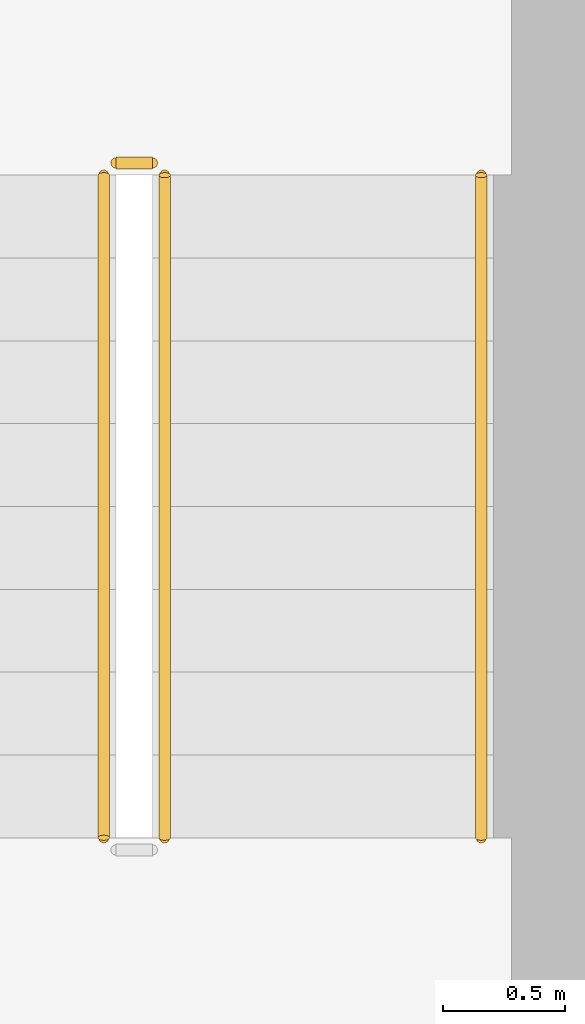
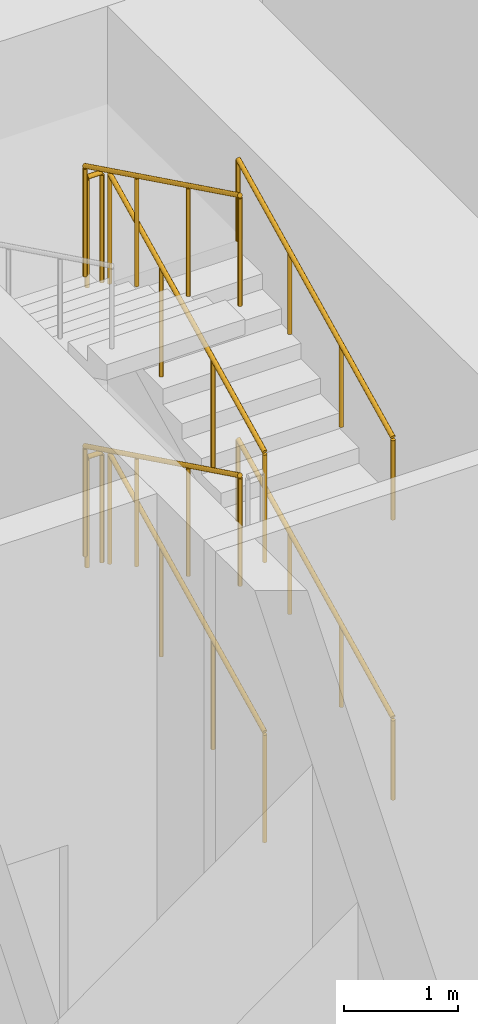
# One storey, part 11 of 11: 8 railings.
"""IFC4 building model written with IfcOpenShell, lengths in metres."""

from ifc_helpers import new_model, si_unit, direction, frame, origin, origin_2d, place, context, subcontext, project, spatial, circle, extrude, material, type_object, element, save


model = new_model("IFC4")

# Units and contexts
model_context = context("Model", 3, precision=1e-05, world=origin(), true_north=direction((0.0, 1.0)))
body_context = subcontext(model_context, "Body", "Model", "MODEL_VIEW")
ifc_project = project(units=[si_unit("LENGTHUNIT", "METRE"), si_unit("AREAUNIT", "SQUARE_METRE"), si_unit("VOLUMEUNIT", "CUBIC_METRE"), si_unit("PLANEANGLEUNIT", "RADIAN"), si_unit("MASSUNIT", "GRAM", prefix="KILO")], contexts=[model_context])

# Site, building, storey
site_placement = place(None, origin())
site = spatial("IfcSite", under=ifc_project, at=site_placement, CompositionType="ELEMENT")
building_placement = place(site_placement, origin())
building = spatial("IfcBuilding", under=site, at=building_placement, Name="Dongbaek Canopy Tower", CompositionType="ELEMENT")
storey_placement = place(building_placement, frame((0.0, 0.0, -6.0)))
storey = spatial("IfcBuildingStorey", under=building, at=storey_placement, Name="B1", CompositionType="ELEMENT", Elevation=-6.0)

# Railings
ifc_material_1 = material(Name="Stainless steel tube and balusters", Category="steel")
railing_type_1 = type_object("IfcRailingType", Name="Stair guard 1200", PredefinedType="GUARDRAIL", material=ifc_material_1)
railing_1_placement = place(storey_placement, frame((11.449951171875, 4.699951171875, 0.166748046875)))
element("IfcRailing", 1, at=railing_1_placement, inside=storey, type_object=railing_type_1, Name="B1 ST-A stair guard 1", PredefinedType="GUARDRAIL", context=body_context, shape_type="SweptSolid", body=[
    extrude(circle(Radius=0.02392578125, at=origin_2d()), frame((0.0, 0.0, 1.17578125), z_axis=(0.0, 0.897929466783, 0.4401393787), x_axis=(-1.0, 0.0, 0.0)), (0.0, 0.0, 1.0), 3.029052734375),
    extrude(circle(Radius=0.02099609375, at=origin_2d()), origin(), (0.0, 0.0, 1.0), 1.15185546875),
    extrude(circle(Radius=0.02099609375, at=origin_2d()), frame((0.0, 0.90673828125, 0.4443359375)), (0.0, 0.0, 1.0), 1.15185546875),
    extrude(circle(Radius=0.02099609375, at=origin_2d()), frame((0.0, 1.813232421875, 0.888916015625)), (0.0, 0.0, 1.0), 1.15185546875),
    extrude(circle(Radius=0.02099609375, at=origin_2d()), frame((0.0, 2.719970703125, 1.333251953125)), (0.0, 0.0, 1.0), 1.15185546875),
])
railing_2_placement = place(storey_placement, frame((11.39990234375, 7.469970703125, 1.5)))
element("IfcRailing", 2, at=railing_2_placement, inside=storey, type_object=railing_type_1, Name="B1 ST-A stair guard 2", PredefinedType="GUARDRAIL", context=body_context, shape_type="SweptSolid", body=[
    extrude(circle(Radius=0.02392578125, at=origin_2d()), frame((0.0, 0.0, 1.17578125), z_axis=(-1.0, 0.0, 0.0), x_axis=(0.0, -1.0, 0.0)), (0.0, 0.0, 1.0), 0.14990234375),
    extrude(circle(Radius=0.02099609375, at=origin_2d()), origin(), (0.0, 0.0, 1.0), 1.15185546875),
    extrude(circle(Radius=0.02099609375, at=origin_2d()), frame((-0.14990234375, 0.0, 0.0)), (0.0, 0.0, 1.0), 1.15185546875),
])
railing_3_placement = place(storey_placement, frame((11.199951171875, 7.419921875, 1.666748046875)))
element("IfcRailing", 3, at=railing_3_placement, inside=storey, type_object=railing_type_1, Name="B1 ST-A stair guard 3", PredefinedType="GUARDRAIL", context=body_context, shape_type="SweptSolid", body=[
    extrude(circle(Radius=0.02392578125, at=origin_2d()), frame((0.0, 0.0, 1.17578125), z_axis=(0.0, -0.897929466783, 0.4401393787), x_axis=(1.0, 0.0, 0.0)), (0.0, 0.0, 1.0), 3.029052734375),
    extrude(circle(Radius=0.02099609375, at=origin_2d()), origin(), (0.0, 0.0, 1.0), 1.15185546875),
    extrude(circle(Radius=0.02099609375, at=origin_2d()), frame((0.0, -0.90673828125, 0.4443359375)), (0.0, 0.0, 1.0), 1.15185546875),
    extrude(circle(Radius=0.02099609375, at=origin_2d()), frame((0.0, -1.813232421875, 0.888916015625)), (0.0, 0.0, 1.0), 1.15185546875),
    extrude(circle(Radius=0.02099609375, at=origin_2d()), frame((0.0, -2.719970703125, 1.333251953125)), (0.0, 0.0, 1.0), 1.15185546875),
])
railing_4_placement = place(storey_placement, frame((11.449951171875, 4.699951171875, 3.166748046875)))
element("IfcRailing", 4, at=railing_4_placement, inside=storey, type_object=railing_type_1, Name="B1 ST-A stair guard 5", PredefinedType="GUARDRAIL", context=body_context, shape_type="SweptSolid", body=[
    extrude(circle(Radius=0.02392578125, at=origin_2d()), frame((0.0, 0.0, 1.17578125), z_axis=(0.0, 0.897929466783, 0.4401393787), x_axis=(-1.0, 0.0, 0.0)), (0.0, 0.0, 1.0), 3.029052734375),
    extrude(circle(Radius=0.02099609375, at=origin_2d()), origin(), (0.0, 0.0, 1.0), 1.15185546875),
    extrude(circle(Radius=0.02099609375, at=origin_2d()), frame((0.0, 0.90673828125, 0.4443359375)), (0.0, 0.0, 1.0), 1.15185546875),
    extrude(circle(Radius=0.02099609375, at=origin_2d()), frame((0.0, 1.813232421875, 0.888916015625)), (0.0, 0.0, 1.0), 1.15185546875),
    extrude(circle(Radius=0.02099609375, at=origin_2d()), frame((0.0, 2.719970703125, 1.333251953125)), (0.0, 0.0, 1.0), 1.15185546875),
])
railing_5_placement = place(storey_placement, frame((11.39990234375, 7.469970703125, 4.5)))
element("IfcRailing", 5, at=railing_5_placement, inside=storey, type_object=railing_type_1, Name="B1 ST-A stair guard 6", PredefinedType="GUARDRAIL", context=body_context, shape_type="SweptSolid", body=[
    extrude(circle(Radius=0.02392578125, at=origin_2d()), frame((0.0, 0.0, 1.17578125), z_axis=(-1.0, 0.0, 0.0), x_axis=(0.0, -1.0, 0.0)), (0.0, 0.0, 1.0), 0.14990234375),
    extrude(circle(Radius=0.02099609375, at=origin_2d()), origin(), (0.0, 0.0, 1.0), 1.15185546875),
    extrude(circle(Radius=0.02099609375, at=origin_2d()), frame((-0.14990234375, 0.0, 0.0)), (0.0, 0.0, 1.0), 1.15185546875),
])
railing_6_placement = place(storey_placement, frame((11.199951171875, 7.419921875, 4.666748046875)))
element("IfcRailing", 6, at=railing_6_placement, inside=storey, type_object=railing_type_1, Name="B1 ST-A stair guard 7", PredefinedType="GUARDRAIL", context=body_context, shape_type="SweptSolid", body=[
    extrude(circle(Radius=0.02392578125, at=origin_2d()), frame((0.0, 0.0, 1.17578125), z_axis=(0.0, -0.897929466783, 0.4401393787), x_axis=(1.0, 0.0, 0.0)), (0.0, 0.0, 1.0), 3.029052734375),
    extrude(circle(Radius=0.02099609375, at=origin_2d()), origin(), (0.0, 0.0, 1.0), 1.15185546875),
    extrude(circle(Radius=0.02099609375, at=origin_2d()), frame((0.0, -0.90673828125, 0.4443359375)), (0.0, 0.0, 1.0), 1.15185546875),
    extrude(circle(Radius=0.02099609375, at=origin_2d()), frame((0.0, -1.813232421875, 0.888916015625)), (0.0, 0.0, 1.0), 1.15185546875),
    extrude(circle(Radius=0.02099609375, at=origin_2d()), frame((0.0, -2.719970703125, 1.333251953125)), (0.0, 0.0, 1.0), 1.15185546875),
])
ifc_material_2 = material(Name="Stainless steel tube", Category="steel")
railing_type_2 = type_object("IfcRailingType", Name="Stair handrail 900", PredefinedType="HANDRAIL", material=ifc_material_2)
for number, where, name in (
    (7, (12.75, 4.699951171875, 0.166748046875), "B1 ST-A stair handrail 1"),
    (8, (12.75, 4.699951171875, 3.166748046875), "B1 ST-A stair handrail 3"),
):
    element("IfcRailing", number, at=place(storey_placement, frame(where)), inside=storey, type_object=railing_type_2, Name=name, PredefinedType="HANDRAIL", context=body_context, shape_type="SweptSolid", body=[
        extrude(circle(Radius=0.02392578125, at=origin_2d()), frame((0.0, 0.0, 0.8759765625), z_axis=(0.0, 0.897929466783, 0.4401393787), x_axis=(-1.0, 0.0, 0.0)), (0.0, 0.0, 1.0), 3.029052734375),
        extrude(circle(Radius=0.02099609375, at=origin_2d()), origin(), (0.0, 0.0, 1.0), 0.851806640625),
        extrude(circle(Radius=0.02099609375, at=origin_2d()), frame((0.0, 0.90673828125, 0.4443359375)), (0.0, 0.0, 1.0), 0.851806640625),
        extrude(circle(Radius=0.02099609375, at=origin_2d()), frame((0.0, 1.813232421875, 0.888916015625)), (0.0, 0.0, 1.0), 0.851806640625),
        extrude(circle(Radius=0.02099609375, at=origin_2d()), frame((0.0, 2.719970703125, 1.333251953125)), (0.0, 0.0, 1.0), 0.851806640625),
    ])

save(model, "model.ifc")
